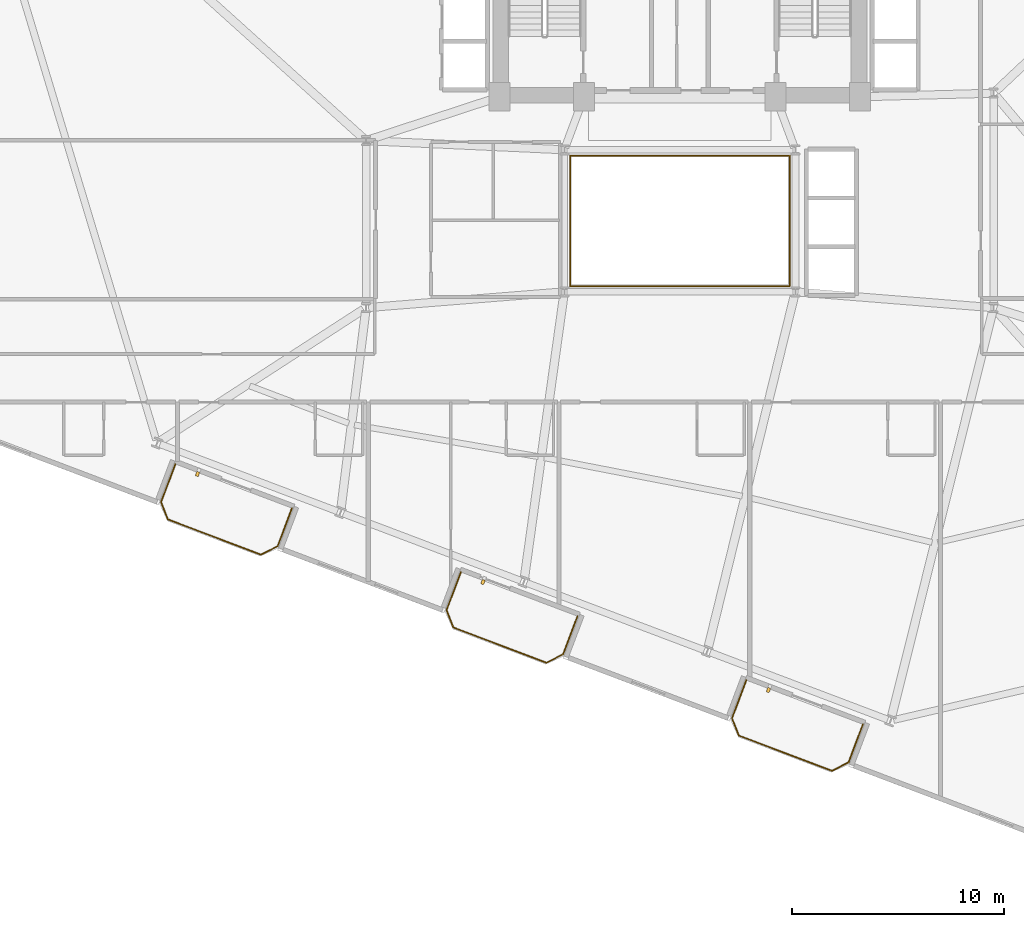
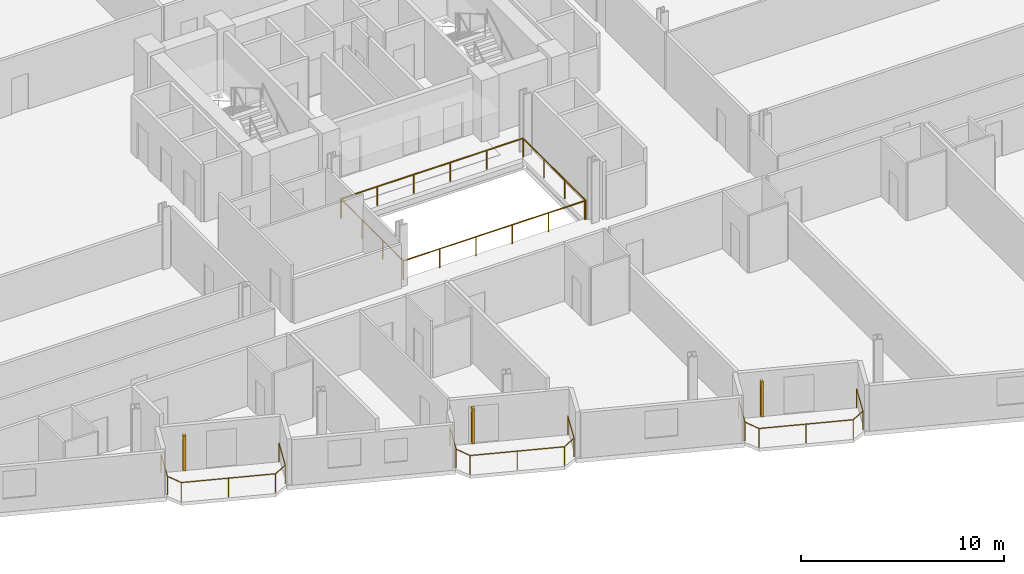
# One storey, part 24 of 26: 5 railings, 3 shading devices.
"""IFC4 building model written with IfcOpenShell, lengths in metres."""

from ifc_helpers import new_model, si_unit, direction, frame, origin, origin_2d, place, context, subcontext, project, spatial, rectangle, circle, extrude, source, transform, mapped, material, type_object, element, save


model = new_model("IFC4")

# Units and contexts
model_context = context("Model", 3, precision=1e-05, world=origin(), true_north=direction((0.0, 1.0)))
body_context = subcontext(model_context, "Body", "Model", "MODEL_VIEW")
ifc_project = project(units=[si_unit("LENGTHUNIT", "METRE"), si_unit("AREAUNIT", "SQUARE_METRE"), si_unit("VOLUMEUNIT", "CUBIC_METRE"), si_unit("PLANEANGLEUNIT", "RADIAN"), si_unit("MASSUNIT", "GRAM", prefix="KILO")], contexts=[model_context])

# Site, building, storey
site_placement = place(None, origin())
site = spatial("IfcSite", under=ifc_project, at=site_placement, CompositionType="ELEMENT")
building_placement = place(site_placement, origin())
building = spatial("IfcBuilding", under=site, at=building_placement, Name="Varnelok Gate Tower", CompositionType="ELEMENT")
storey_placement = place(building_placement, frame((0.0, 0.0, 109.5)))
storey = spatial("IfcBuildingStorey", under=building, at=storey_placement, Name="L27", CompositionType="ELEMENT", Elevation=109.5)

# Railings
ifc_material_1 = material(Name="Tempered Laminated Balustrade Glass", Category="glass")
railing_type_1 = type_object("IfcRailingType", Name="RL-ATR-GUARD1150", PredefinedType="GUARDRAIL", material=ifc_material_1)
railing_1_placement = place(storey_placement, frame((34.02001953125, 25.929931640625, 0.0)))
element("IfcRailing", 1, at=railing_1_placement, inside=storey, type_object=railing_type_1, Name="L27 Internal Atrium South-West Guardrail", PredefinedType="GUARDRAIL", context=body_context, shape_type="SweptSolid", body=[
    extrude(circle(Radius=0.02392578125, at=origin_2d()), frame((0.0, 0.0, 1.1259765625), z_axis=(0.0, -1.0, 0.0), x_axis=(1.0, 0.0, 0.0)), (0.0, 0.0, 1.0), 6.10986328125),
    extrude(circle(Radius=0.02392578125, at=origin_2d()), frame((0.0, -6.10986328125, 1.1259765625), z_axis=(1.0, 0.0, 0.0), x_axis=(0.0, 1.0, 0.0)), (0.0, 0.0, 1.0), 10.31005859375),
    extrude(circle(Radius=0.02099609375, at=origin_2d()), origin(), (0.0, 0.0, 1.0), 1.101806640625),
    extrude(circle(Radius=0.02099609375, at=origin_2d()), frame((0.0, -2.03662109375, 0.0)), (0.0, 0.0, 1.0), 1.101806640625),
    extrude(circle(Radius=0.02099609375, at=origin_2d()), frame((0.0, -4.0732421875, 0.0)), (0.0, 0.0, 1.0), 1.101806640625),
    extrude(circle(Radius=0.02099609375, at=origin_2d()), frame((0.0, -6.10986328125, 0.0)), (0.0, 0.0, 1.0), 1.101806640625),
    extrude(circle(Radius=0.02099609375, at=origin_2d()), frame((2.06201171875, -6.10986328125, 0.0)), (0.0, 0.0, 1.0), 1.101806640625),
    extrude(circle(Radius=0.02099609375, at=origin_2d()), frame((4.1240234375, -6.10986328125, 0.0)), (0.0, 0.0, 1.0), 1.101806640625),
    extrude(circle(Radius=0.02099609375, at=origin_2d()), frame((6.18603515625, -6.10986328125, 0.0)), (0.0, 0.0, 1.0), 1.101806640625),
    extrude(circle(Radius=0.02099609375, at=origin_2d()), frame((8.248046875, -6.10986328125, 0.0)), (0.0, 0.0, 1.0), 1.101806640625),
    extrude(circle(Radius=0.02099609375, at=origin_2d()), frame((10.31005859375, -6.10986328125, 0.0)), (0.0, 0.0, 1.0), 1.101806640625),
])
railing_2_placement = place(storey_placement, frame((44.3798828125, 19.820068359375, 0.0)))
element("IfcRailing", 2, at=railing_2_placement, inside=storey, type_object=railing_type_1, Name="L27 Internal Atrium North-East Guardrail", PredefinedType="GUARDRAIL", context=body_context, shape_type="SweptSolid", body=[
    extrude(circle(Radius=0.02392578125, at=origin_2d()), frame((0.0, 0.0, 1.1259765625), z_axis=(0.0, 1.0, 0.0), x_axis=(-1.0, 0.0, 0.0)), (0.0, 0.0, 1.0), 6.159912109375),
    extrude(circle(Radius=0.02392578125, at=origin_2d()), frame((0.0, 6.159912109375, 1.1259765625), z_axis=(-1.0, 0.0, 0.0), x_axis=(0.0, -1.0, 0.0)), (0.0, 0.0, 1.0), 10.35986328125),
    extrude(circle(Radius=0.02099609375, at=origin_2d()), origin(), (0.0, 0.0, 1.0), 1.101806640625),
    extrude(circle(Radius=0.02099609375, at=origin_2d()), frame((0.0, 2.05322265625, 0.0)), (0.0, 0.0, 1.0), 1.101806640625),
    extrude(circle(Radius=0.02099609375, at=origin_2d()), frame((0.0, 4.106689453125, 0.0)), (0.0, 0.0, 1.0), 1.101806640625),
    extrude(circle(Radius=0.02099609375, at=origin_2d()), frame((0.0, 6.159912109375, 0.0)), (0.0, 0.0, 1.0), 1.101806640625),
    extrude(circle(Radius=0.02099609375, at=origin_2d()), frame((-2.072021484375, 6.159912109375, 0.0)), (0.0, 0.0, 1.0), 1.101806640625),
    extrude(circle(Radius=0.02099609375, at=origin_2d()), frame((-4.14404296875, 6.159912109375, 0.0)), (0.0, 0.0, 1.0), 1.101806640625),
    extrude(circle(Radius=0.02099609375, at=origin_2d()), frame((-6.2158203125, 6.159912109375, 0.0)), (0.0, 0.0, 1.0), 1.101806640625),
    extrude(circle(Radius=0.02099609375, at=origin_2d()), frame((-8.287841796875, 6.159912109375, 0.0)), (0.0, 0.0, 1.0), 1.101806640625),
    extrude(circle(Radius=0.02099609375, at=origin_2d()), frame((-10.35986328125, 6.159912109375, 0.0)), (0.0, 0.0, 1.0), 1.101806640625),
])
ifc_material_2 = material(Name="Low-E Laminated Double Glazing IGU", Category="glass")
railing_type_2 = type_object("IfcRailingType", Name="RL-BALC-1150", PredefinedType="BALUSTRADE", material=ifc_material_2)
railing_3_placement = place(storey_placement, frame((15.40625, 11.42578125, 0.0)))
element("IfcRailing", 3, at=railing_3_placement, inside=storey, type_object=railing_type_2, Name="L27 South Terrace Balustrade 1", PredefinedType="BALUSTRADE", context=body_context, shape_type="SweptSolid", body=[
    extrude(circle(Radius=0.02392578125, at=origin_2d()), frame((0.0, 0.0, 1.1259765625), z_axis=(-0.354006333352, -0.935243025073, 0.0), x_axis=(0.935243025073, -0.354006333352, 0.0)), (0.0, 0.0, 1.0), 1.919921875),
    extrude(circle(Radius=0.02392578125, at=origin_2d()), frame((-0.6796875, -1.795654296875, 1.1259765625), z_axis=(0.366254584666, -0.930514685113, 0.0), x_axis=(0.930514685113, 0.366254584666, 0.0)), (0.0, 0.0, 1.0), 0.8779296875),
    extrude(circle(Radius=0.02392578125, at=origin_2d()), frame((-0.358154296875, -2.612548828125, 1.1259765625), z_axis=(0.935223045203, -0.354059113314, 0.0), x_axis=(0.354059113314, 0.935223045203, 0.0)), (0.0, 0.0, 1.0), 4.699951171875),
    extrude(circle(Radius=0.02392578125, at=origin_2d()), frame((4.037353515625, -4.276611328125, 1.1259765625), z_axis=(0.89078254773, 0.454429810487, 0.0), x_axis=(-0.454429810487, 0.89078254773, 0.0)), (0.0, 0.0, 1.0), 0.8779296875),
    extrude(circle(Radius=0.02392578125, at=origin_2d()), frame((4.8193359375, -3.877685546875, 1.1259765625), z_axis=(0.354117547856, 0.935200920819, 0.0), x_axis=(-0.935200920819, 0.354117547856, 0.0)), (0.0, 0.0, 1.0), 1.920166015625),
    extrude(circle(Radius=0.02099609375, at=origin_2d()), origin(), (0.0, 0.0, 1.0), 1.101806640625),
    extrude(circle(Radius=0.02099609375, at=origin_2d()), frame((-0.6796875, -1.795654296875, 0.0)), (0.0, 0.0, 1.0), 1.101806640625),
    extrude(circle(Radius=0.02099609375, at=origin_2d()), frame((-0.358154296875, -2.612548828125, 0.0)), (0.0, 0.0, 1.0), 1.101806640625),
    extrude(circle(Radius=0.02099609375, at=origin_2d()), frame((1.839599609375, -3.444580078125, 0.0)), (0.0, 0.0, 1.0), 1.101806640625),
    extrude(circle(Radius=0.02099609375, at=origin_2d()), frame((4.037353515625, -4.276611328125, 0.0)), (0.0, 0.0, 1.0), 1.101806640625),
    extrude(circle(Radius=0.02099609375, at=origin_2d()), frame((4.8193359375, -3.877685546875, 0.0)), (0.0, 0.0, 1.0), 1.101806640625),
    extrude(circle(Radius=0.02099609375, at=origin_2d()), frame((5.499267578125, -2.08203125, 0.0)), (0.0, 0.0, 1.0), 1.101806640625),
])
railing_4_placement = place(storey_placement, frame((28.87353515625, 6.3271484375, 0.0)))
element("IfcRailing", 4, at=railing_4_placement, inside=storey, type_object=railing_type_2, Name="L27 South Terrace Balustrade 2", PredefinedType="BALUSTRADE", context=body_context, shape_type="SweptSolid", body=[
    extrude(circle(Radius=0.02392578125, at=origin_2d()), frame((0.0, 0.0, 1.1259765625), z_axis=(-0.354117547856, -0.935200920819, 0.0), x_axis=(0.935200920819, -0.354117547856, 0.0)), (0.0, 0.0, 1.0), 1.920166015625),
    extrude(circle(Radius=0.02392578125, at=origin_2d()), frame((-0.679931640625, -1.795654296875, 1.1259765625), z_axis=(0.36659018357, -0.930382522036, 0.0), x_axis=(0.930382522036, 0.36659018357, 0.0)), (0.0, 0.0, 1.0), 0.877685546875),
    extrude(circle(Radius=0.02392578125, at=origin_2d()), frame((-0.358154296875, -2.6123046875, 1.1259765625), z_axis=(0.935223045203, -0.354059113314, 0.0), x_axis=(0.354059113314, 0.935223045203, 0.0)), (0.0, 0.0, 1.0), 4.699951171875),
    extrude(circle(Radius=0.02392578125, at=origin_2d()), frame((4.037353515625, -4.2763671875, 1.1259765625), z_axis=(0.89078254773, 0.454429810487, 0.0), x_axis=(-0.454429810487, 0.89078254773, 0.0)), (0.0, 0.0, 1.0), 0.8779296875),
    extrude(circle(Radius=0.02392578125, at=origin_2d()), frame((4.8193359375, -3.87744140625, 1.1259765625), z_axis=(0.354006333352, 0.935243025073, 0.0), x_axis=(-0.935243025073, 0.354006333352, 0.0)), (0.0, 0.0, 1.0), 1.919921875),
    extrude(circle(Radius=0.02099609375, at=origin_2d()), origin(), (0.0, 0.0, 1.0), 1.101806640625),
    extrude(circle(Radius=0.02099609375, at=origin_2d()), frame((-0.679931640625, -1.795654296875, 0.0)), (0.0, 0.0, 1.0), 1.101806640625),
    extrude(circle(Radius=0.02099609375, at=origin_2d()), frame((-0.358154296875, -2.6123046875, 0.0)), (0.0, 0.0, 1.0), 1.101806640625),
    extrude(circle(Radius=0.02099609375, at=origin_2d()), frame((1.839599609375, -3.4443359375, 0.0)), (0.0, 0.0, 1.0), 1.101806640625),
    extrude(circle(Radius=0.02099609375, at=origin_2d()), frame((4.037353515625, -4.2763671875, 0.0)), (0.0, 0.0, 1.0), 1.101806640625),
    extrude(circle(Radius=0.02099609375, at=origin_2d()), frame((4.8193359375, -3.87744140625, 0.0)), (0.0, 0.0, 1.0), 1.101806640625),
    extrude(circle(Radius=0.02099609375, at=origin_2d()), frame((5.4990234375, -2.081787109375, 0.0)), (0.0, 0.0, 1.0), 1.101806640625),
])
railing_5_placement = place(storey_placement, frame((42.3408203125, 1.228759765625, 0.0)))
element("IfcRailing", 5, at=railing_5_placement, inside=storey, type_object=railing_type_2, Name="L27 South Terrace Balustrade 3", PredefinedType="BALUSTRADE", context=body_context, shape_type="SweptSolid", body=[
    extrude(circle(Radius=0.02392578125, at=origin_2d()), frame((0.0, 0.0, 1.1259765625), z_axis=(-0.354117547856, -0.935200920819, 0.0), x_axis=(0.935200920819, -0.354117547856, 0.0)), (0.0, 0.0, 1.0), 1.920166015625),
    extrude(circle(Radius=0.02392578125, at=origin_2d()), frame((-0.679931640625, -1.795654296875, 1.1259765625), z_axis=(0.366254584666, -0.930514685113, 0.0), x_axis=(0.930514685113, 0.366254584666, 0.0)), (0.0, 0.0, 1.0), 0.8779296875),
    extrude(circle(Radius=0.02392578125, at=origin_2d()), frame((-0.3583984375, -2.612548828125, 1.1259765625), z_axis=(0.935229556479, -0.354041913744, 0.0), x_axis=(0.354041913744, 0.935229556479, 0.0)), (0.0, 0.0, 1.0), 4.7001953125),
    extrude(circle(Radius=0.02392578125, at=origin_2d()), frame((4.037353515625, -4.276611328125, 1.1259765625), z_axis=(0.890612455555, 0.454763074589, 0.0), x_axis=(-0.454763074589, 0.890612455555, 0.0)), (0.0, 0.0, 1.0), 0.877685546875),
    extrude(circle(Radius=0.02392578125, at=origin_2d()), frame((4.819091796875, -3.87744140625, 1.1259765625), z_axis=(0.354159661475, 0.935184973245, 0.0), x_axis=(-0.935184973245, 0.354159661475, 0.0)), (0.0, 0.0, 1.0), 1.919921875),
    extrude(circle(Radius=0.02099609375, at=origin_2d()), origin(), (0.0, 0.0, 1.0), 1.101806640625),
    extrude(circle(Radius=0.02099609375, at=origin_2d()), frame((-0.679931640625, -1.795654296875, 0.0)), (0.0, 0.0, 1.0), 1.101806640625),
    extrude(circle(Radius=0.02099609375, at=origin_2d()), frame((-0.3583984375, -2.612548828125, 0.0)), (0.0, 0.0, 1.0), 1.101806640625),
    extrude(circle(Radius=0.02099609375, at=origin_2d()), frame((1.83935546875, -3.444580078125, 0.0)), (0.0, 0.0, 1.0), 1.101806640625),
    extrude(circle(Radius=0.02099609375, at=origin_2d()), frame((4.037353515625, -4.276611328125, 0.0)), (0.0, 0.0, 1.0), 1.101806640625),
    extrude(circle(Radius=0.02099609375, at=origin_2d()), frame((4.819091796875, -3.87744140625, 0.0)), (0.0, 0.0, 1.0), 1.101806640625),
    extrude(circle(Radius=0.02099609375, at=origin_2d()), frame((5.4990234375, -2.08203125, 0.0)), (0.0, 0.0, 1.0), 1.101806640625),
])

# Shading devices
ifc_material_3 = material(Name="Glazed Architectural Terracotta Ceramic", Category="masonry")
shading_device_type = type_object("IfcShadingDeviceType", Name="SHD-TERRA-FIN", PredefinedType="USERDEFINED", material=ifc_material_3)
shared_shape = source(origin(), body_context, "Body", "SweptSolid", [
    extrude(rectangle(XDim=0.139892578125, YDim=0.219970703125, at=origin_2d()), origin(), (0.0, 0.0, 1.0), 2.10009765625),
])
for number, where, z_axis, x_axis, name in (
    (6, (16.44775390625, 10.95654296875, 0.099853515625), (0.0, 0.0, 1.0), (0.935221751401, -0.354062530786, 0.0), "L27 Terracotta Ceramic Baguette Sunscreen 1.1"),
    (7, (29.914794921875, 5.858154296875, 0.099853515625), (0.0, 0.0, 1.0), (0.935221751401, -0.354062530786, 0.0), "L27 Terracotta Ceramic Baguette Sunscreen 2.1"),
    (8, (43.382080078125, 0.759521484375, 0.099853515625), (0.0, 0.0, 1.0), (0.935221751401, -0.354062530786, 0.0), "L27 Terracotta Ceramic Baguette Sunscreen 3.1"),
):
    element("IfcShadingDevice", number, at=place(storey_placement, frame(where, z_axis=z_axis, x_axis=x_axis)), inside=storey, type_object=shading_device_type, Name=name, ObjectType="BAGUETTE", PredefinedType="USERDEFINED", context=body_context, shape_type="MappedRepresentation", body=[
        mapped(shared_shape, transform((0.0, 0.0, 0.0), scale=1.0)),
    ])

save(model, "model.ifc")
